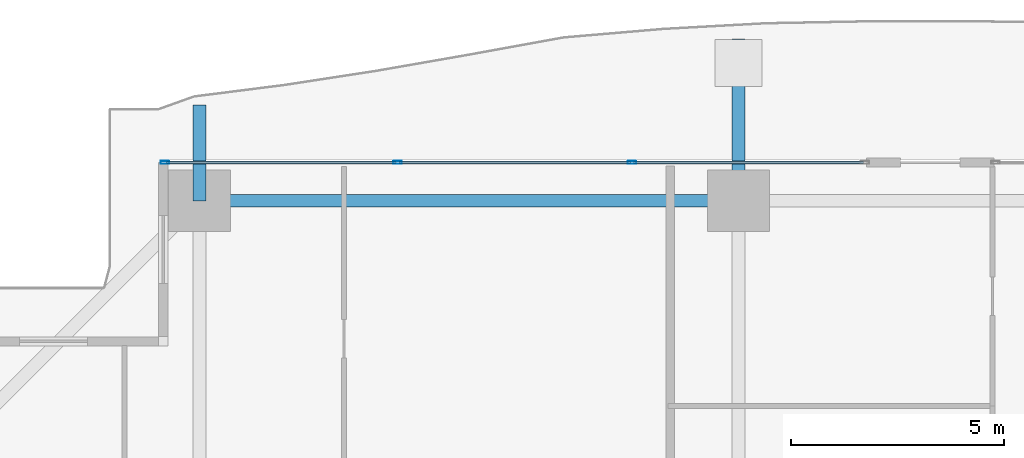
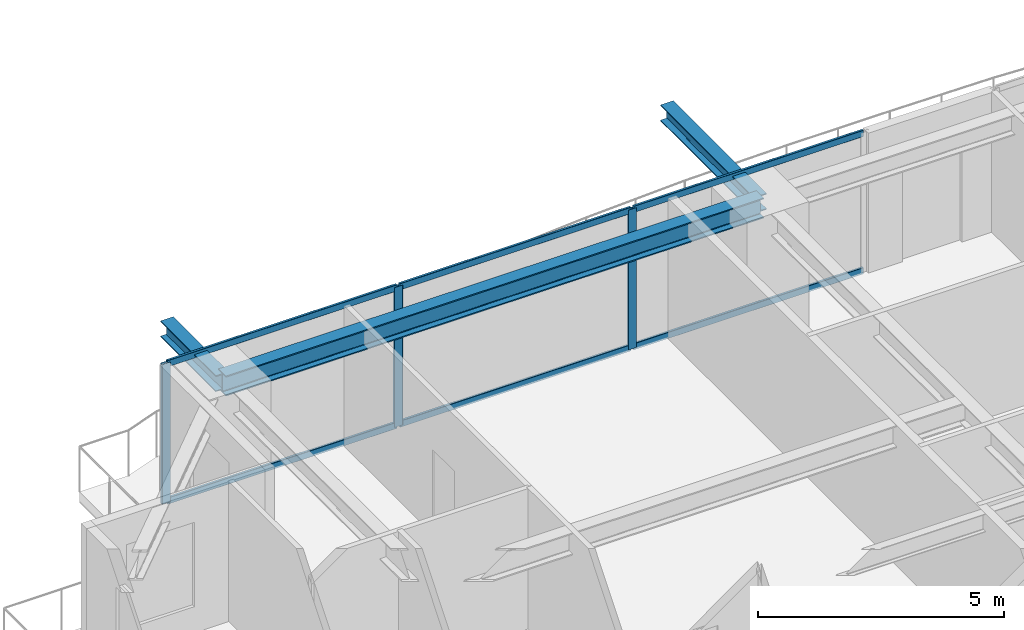
# One storey, part 20 of 37: 9 members, 3 beams, 1 element without a shape of its own.
"""IFC4 building model written with IfcOpenShell, lengths in metres."""

from ifc_helpers import new_model, si_unit, direction, frame, origin, origin_2d, place, context, subcontext, project, spatial, hollow_rectangle, i_section, extrude, source, transform, mapped, material, layer, layer_set, material_profile, profile_set, type_object, element, aggregate, save


model = new_model("IFC4")

# Units and contexts
model_context = context("Model", 3, precision=1e-05, world=origin(), true_north=direction((0.0, 1.0)))
body_context = subcontext(model_context, "Body", "Model", "MODEL_VIEW")
ifc_project = project(units=[si_unit("LENGTHUNIT", "METRE"), si_unit("AREAUNIT", "SQUARE_METRE"), si_unit("VOLUMEUNIT", "CUBIC_METRE"), si_unit("PLANEANGLEUNIT", "RADIAN"), si_unit("MASSUNIT", "GRAM", prefix="KILO")], contexts=[model_context])

# Site, building, storey
site_placement = place(None, origin())
site = spatial("IfcSite", under=ifc_project, at=site_placement, CompositionType="ELEMENT")
building_placement = place(site_placement, origin())
building = spatial("IfcBuilding", under=site, at=building_placement, Name="Serunith Strait Residences", CompositionType="ELEMENT")
storey_placement = place(building_placement, frame((0.0, 0.0, 34.199951171875)))
storey = spatial("IfcBuildingStorey", under=building, at=storey_placement, Name="L07", CompositionType="ELEMENT", Elevation=34.199951171875)

# Beams
ifc_material_1 = material(Name="Steel S355J2", Category="steel")
ifc_material_profile_1 = material_profile(ifc_material_1, i_section(OverallWidth=0.300048828125, OverallDepth=0.5, WebThickness=0.014404296875, FlangeThickness=0.028076171875, FilletRadius=0.027099609375, at=origin_2d()), Name="HEB 500")
ifc_profile_set_1 = profile_set([ifc_material_profile_1], Name="Steel S355J2")
beam_type_1 = type_object("IfcBeamType", Name="BM-HEB500", PredefinedType="BEAM", material=ifc_profile_set_1)
shared_shape_1 = source(origin(), body_context, "Body", "SweptSolid", [
    extrude(i_section(OverallWidth=0.300048828125, OverallDepth=0.5, WebThickness=0.014404296875, FlangeThickness=0.028076171875, FilletRadius=0.027099609375, at=origin_2d()), origin(), (0.0, 0.0, 1.0), 12.64990234375),
])
beam_1_placement = place(storey_placement, frame((27.89990234375, 49.300048828125, 3.237060546875), z_axis=(-1.0, 0.0, 0.0), x_axis=(0.0, -1.0, 0.0)))
element("IfcBeam", 1, at=beam_1_placement, inside=storey, type_object=beam_type_1, Name="L07 Perimeter Ring Beam 11", PredefinedType="BEAM", context=body_context, shape_type="MappedRepresentation", body=[
    mapped(shared_shape_1, transform((0.0, 0.0, 0.0), scale=1.0)),
])
ifc_material_profile_2 = material_profile(ifc_material_1, i_section(OverallWidth=0.300048828125, OverallDepth=0.39990234375, WebThickness=0.013427734375, FlangeThickness=0.02392578125, FilletRadius=0.027099609375, at=origin_2d()), Name="HEB 400")
ifc_profile_set_2 = profile_set([ifc_material_profile_2], Name="Steel S355J2")
beam_type_2 = type_object("IfcBeamType", Name="BM-HEB400", PredefinedType="BEAM", material=ifc_profile_set_2)
shared_shape_2 = source(origin(), body_context, "Body", "SweptSolid", [
    extrude(i_section(OverallWidth=0.300048828125, OverallDepth=0.39990234375, WebThickness=0.013427734375, FlangeThickness=0.02392578125, FilletRadius=0.027099609375, at=origin_2d()), origin(), (0.0, 0.0, 1.0), 3.800048828125),
])
beam_2_placement = place(storey_placement, frame((27.89990234375, 49.300048828125, 3.257080078125), z_axis=(0.0, 1.0, 0.0), x_axis=(-1.0, 0.0, 0.0)))
element("IfcBeam", 2, at=beam_2_placement, inside=storey, type_object=beam_type_2, Name="L08 Cantilevered Balcony Rib TC-N2", PredefinedType="BEAM", context=body_context, shape_type="MappedRepresentation", body=[
    mapped(shared_shape_2, transform((0.0, 0.0, 0.0), scale=1.0)),
])
shared_shape_3 = source(origin(), body_context, "Body", "SweptSolid", [
    extrude(i_section(OverallWidth=0.300048828125, OverallDepth=0.39990234375, WebThickness=0.013427734375, FlangeThickness=0.02392578125, FilletRadius=0.027099609375, at=origin_2d()), origin(), (0.0, 0.0, 1.0), 2.250244140625),
])
beam_3_placement = place(storey_placement, frame((15.25, 49.300048828125, 3.257080078125), z_axis=(0.0, 1.0, 0.0), x_axis=(-1.0, 0.0, 0.0)))
element("IfcBeam", 3, at=beam_3_placement, inside=storey, type_object=beam_type_2, Name="L08 Cantilevered Balcony Rib TC-N1", PredefinedType="BEAM", context=body_context, shape_type="MappedRepresentation", body=[
    mapped(shared_shape_3, transform((0.0, 0.0, 0.0), scale=1.0)),
])

# Curtain wall, members
ifc_material_2 = material(Name="Pale-Champagne Anodised Aluminium", Category="aluminium")
ifc_layer = layer(ifc_material_2, 0.199951171875, Name="Pale-Champagne Anodised Aluminium")
ifc_layer_set = layer_set([ifc_layer], Name="Pale-Champagne Anodised Aluminium")
curtain_wall_type = type_object("IfcCurtainWallType", Name="CW-SYS1", PredefinedType="NOTDEFINED", material=ifc_layer_set)
curtain_wall_placement = place(storey_placement, origin())
curtain_wall = element("IfcCurtainWall", 4, at=curtain_wall_placement, inside=storey, type_object=curtain_wall_type, Name="L07 N Unitised Fritted Curtain Wall", PredefinedType="NOTDEFINED")
ifc_material_profile_3 = material_profile(ifc_material_2, hollow_rectangle(XDim=0.070068359375, YDim=0.199951171875, WallThickness=0.00390625, InnerFilletRadius=0.006103515625, OuterFilletRadius=0.010009765625, at=origin_2d()), Name="ALU 200x70x4")
ifc_profile_set_3 = profile_set([ifc_material_profile_3], Name="Pale-Champagne Anodised Aluminium")
member_type_1 = type_object("IfcMemberType", Name="CW-SYS1-MULL", PredefinedType="MULLION", material=ifc_profile_set_3)
shared_shape_4 = source(origin(), body_context, "Body", "SweptSolid", [
    extrude(hollow_rectangle(XDim=0.070068359375, YDim=0.199951171875, WallThickness=0.00390625, InnerFilletRadius=0.006103515625, OuterFilletRadius=0.010009765625, at=origin_2d()), origin(), (0.0, 0.0, 1.0), 3.47509765625),
])
member_1_placement = place(storey_placement, frame((25.39990234375, 50.199951171875, 0.0), z_axis=(0.0, 0.0, 1.0), x_axis=(0.0, -1.0, 0.0)))
member_1 = element("IfcMember", 5, at=member_1_placement, type_object=member_type_1, Name="CW-1 mullion 2", PredefinedType="MULLION", context=body_context, shape_type="MappedRepresentation", body=[
    mapped(shared_shape_4, transform((0.0, 0.0, 0.0), scale=1.0)),
])
member_2_placement = place(storey_placement, frame((19.89990234375, 50.199951171875, 0.0), z_axis=(0.0, 0.0, 1.0), x_axis=(0.0, -1.0, 0.0)))
member_2 = element("IfcMember", 6, at=member_2_placement, type_object=member_type_1, Name="CW-1 mullion 3", PredefinedType="MULLION", context=body_context, shape_type="MappedRepresentation", body=[
    mapped(shared_shape_4, transform((0.0, 0.0, 0.0), scale=1.0)),
])
member_3_placement = place(storey_placement, frame((14.43505859375, 50.199951171875, 0.0), z_axis=(0.0, 0.0, 1.0), x_axis=(0.0, -1.0, 0.0)))
member_3 = element("IfcMember", 7, at=member_3_placement, type_object=member_type_1, Name="CW-1 mullion 4", PredefinedType="MULLION", context=body_context, shape_type="MappedRepresentation", body=[
    mapped(shared_shape_4, transform((0.0, 0.0, 0.0), scale=1.0)),
])
ifc_material_profile_4 = material_profile(ifc_material_2, hollow_rectangle(XDim=0.06005859375, YDim=0.159912109375, WallThickness=0.00341796875, InnerFilletRadius=0.00537109375, OuterFilletRadius=0.0087890625, at=origin_2d()), Name="ALU 160x60x3.5")
ifc_profile_set_4 = profile_set([ifc_material_profile_4], Name="Pale-Champagne Anodised Aluminium")
member_type_2 = type_object("IfcMemberType", Name="CW-SYS1-TRAN", PredefinedType="USERDEFINED", material=ifc_profile_set_4)
shared_shape_5 = source(origin(), body_context, "Body", "SweptSolid", [
    extrude(hollow_rectangle(XDim=0.06005859375, YDim=0.159912109375, WallThickness=0.00341796875, InnerFilletRadius=0.00537109375, OuterFilletRadius=0.0087890625, at=origin_2d()), origin(), (0.0, 0.0, 1.0), 5.39501953125),
])
member_4_placement = place(storey_placement, frame((30.830078125, 50.199951171875, 0.030029296875), z_axis=(-1.0, 0.0, 0.0), x_axis=(0.0, -1.0, 0.0)))
member_4 = element("IfcMember", 8, at=member_4_placement, type_object=member_type_2, Name="CW-1 transom 1.1", ObjectType="TRANSOM", PredefinedType="USERDEFINED", context=body_context, shape_type="MappedRepresentation", body=[
    mapped(shared_shape_5, transform((0.0, 0.0, 0.0), scale=1.0)),
])
member_5_placement = place(storey_placement, frame((30.830078125, 50.199951171875, 3.445068359375), z_axis=(-1.0, 0.0, 0.0), x_axis=(0.0, -1.0, 0.0)))
member_5 = element("IfcMember", 9, at=member_5_placement, type_object=member_type_2, Name="CW-1 transom 1.2", ObjectType="TRANSOM", PredefinedType="USERDEFINED", context=body_context, shape_type="MappedRepresentation", body=[
    mapped(shared_shape_5, transform((0.0, 0.0, 0.0), scale=1.0)),
])
member_6_placement = place(storey_placement, frame((19.864990234375, 50.199951171875, 0.030029296875), z_axis=(-1.0, 0.0, 0.0), x_axis=(0.0, -1.0, 0.0)))
member_6 = element("IfcMember", 10, at=member_6_placement, type_object=member_type_2, Name="CW-1 transom 3.1", ObjectType="TRANSOM", PredefinedType="USERDEFINED", context=body_context, shape_type="MappedRepresentation", body=[
    mapped(shared_shape_5, transform((0.0, 0.0, 0.0), scale=1.0)),
])
member_7_placement = place(storey_placement, frame((19.864990234375, 50.199951171875, 3.445068359375), z_axis=(-1.0, 0.0, 0.0), x_axis=(0.0, -1.0, 0.0)))
member_7 = element("IfcMember", 11, at=member_7_placement, type_object=member_type_2, Name="CW-1 transom 3.2", ObjectType="TRANSOM", PredefinedType="USERDEFINED", context=body_context, shape_type="MappedRepresentation", body=[
    mapped(shared_shape_5, transform((0.0, 0.0, 0.0), scale=1.0)),
])
shared_shape_6 = source(origin(), body_context, "Body", "SweptSolid", [
    extrude(hollow_rectangle(XDim=0.06005859375, YDim=0.159912109375, WallThickness=0.00341796875, InnerFilletRadius=0.00537109375, OuterFilletRadius=0.0087890625, at=origin_2d()), origin(), (0.0, 0.0, 1.0), 5.429931640625),
])
member_8_placement = place(storey_placement, frame((25.364990234375, 50.199951171875, 0.030029296875), z_axis=(-1.0, 0.0, 0.0), x_axis=(0.0, -1.0, 0.0)))
member_8 = element("IfcMember", 12, at=member_8_placement, type_object=member_type_2, Name="CW-1 transom 2.1", ObjectType="TRANSOM", PredefinedType="USERDEFINED", context=body_context, shape_type="MappedRepresentation", body=[
    mapped(shared_shape_6, transform((0.0, 0.0, 0.0), scale=1.0)),
])
member_9_placement = place(storey_placement, frame((25.364990234375, 50.199951171875, 3.445068359375), z_axis=(-1.0, 0.0, 0.0), x_axis=(0.0, -1.0, 0.0)))
member_9 = element("IfcMember", 13, at=member_9_placement, type_object=member_type_2, Name="CW-1 transom 2.2", ObjectType="TRANSOM", PredefinedType="USERDEFINED", context=body_context, shape_type="MappedRepresentation", body=[
    mapped(shared_shape_6, transform((0.0, 0.0, 0.0), scale=1.0)),
])
aggregate(curtain_wall, [member_1, member_2, member_3, member_4, member_5, member_8, member_9, member_6, member_7])

save(model, "model.ifc")
